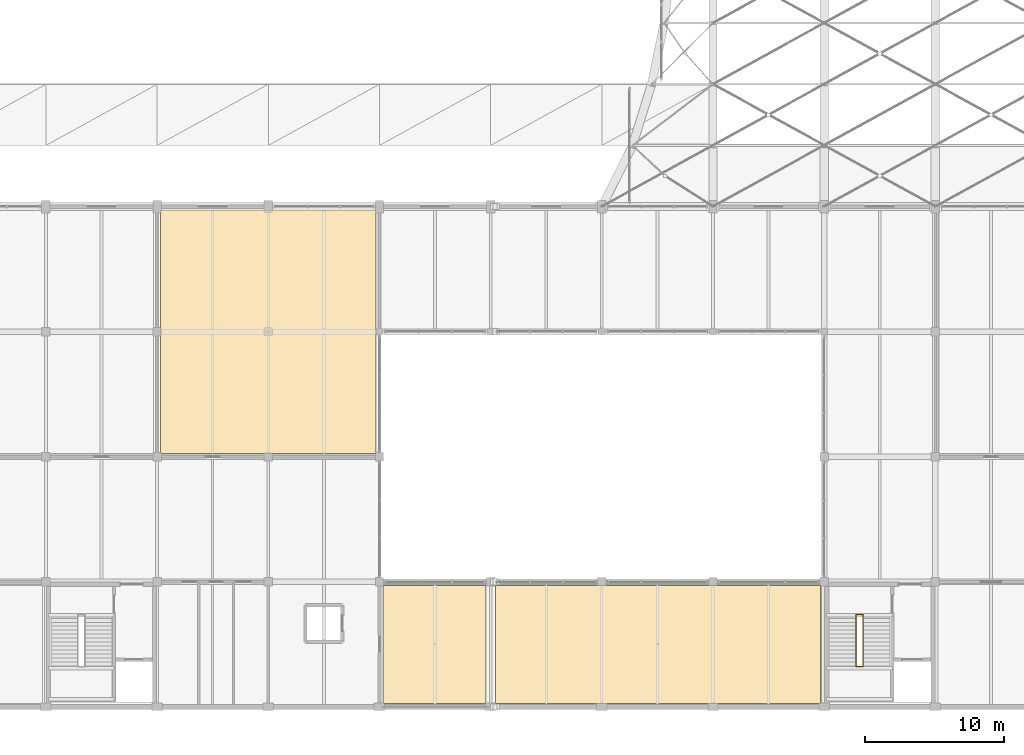
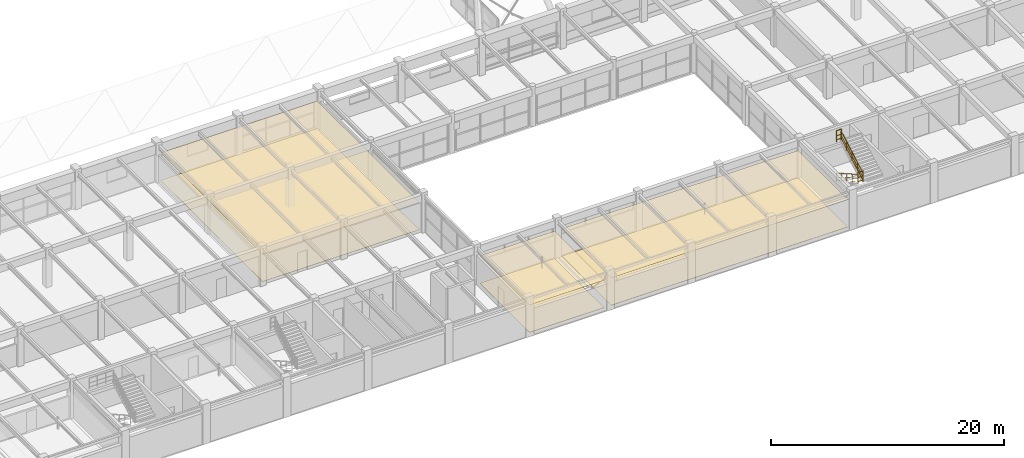
# One storey, part 123 of 126: 6 coverings, 4 railings.
"""IFC4 building model written with IfcOpenShell, lengths in metres."""

from ifc_helpers import new_model, si_unit, direction, frame, origin, origin_2d, place, context, subcontext, project, spatial, polyline, circle, outline, extrude, material, layer, layer_set, type_object, element, save


model = new_model("IFC4")

# Units and contexts
model_context = context("Model", 3, precision=1e-05, world=origin(), true_north=direction((0.0, 1.0)))
body_context = subcontext(model_context, "Body", "Model", "MODEL_VIEW")
ifc_project = project(units=[si_unit("LENGTHUNIT", "METRE"), si_unit("AREAUNIT", "SQUARE_METRE"), si_unit("VOLUMEUNIT", "CUBIC_METRE"), si_unit("PLANEANGLEUNIT", "RADIAN"), si_unit("MASSUNIT", "GRAM", prefix="KILO")], contexts=[model_context])

# Site, building, storey
site_placement = place(None, origin())
site = spatial("IfcSite", under=ifc_project, at=site_placement, CompositionType="ELEMENT")
building_placement = place(site_placement, origin())
building = spatial("IfcBuilding", under=site, at=building_placement, Name="Varnabhumi Central Station", CompositionType="ELEMENT")
storey_placement = place(building_placement, frame((0.0, 0.0, 16.199951171875)))
storey = spatial("IfcBuildingStorey", under=building, at=storey_placement, Name="L03", CompositionType="ELEMENT", Elevation=16.199951171875)

# Coverings
ifc_material_1 = material(Name="Mineral-fibre acoustic tile")
ifc_layer_1 = layer(ifc_material_1, 0.02490234375, Name="Mineral-fibre acoustic tile")
ifc_layer_set_1 = layer_set([ifc_layer_1], Name="Mineral-fibre acoustic tile")
covering_type_1 = type_object("IfcCoveringType", Name="COV-CEIL-ACOUSTIC", PredefinedType="CEILING", material=ifc_layer_set_1)
covering_1_placement = place(storey_placement, frame((0.0, 0.0, 2.8701171875)))
element("IfcCovering", 1, at=covering_1_placement, inside=storey, type_object=covering_type_1, Name="Passenger Information and Announcement Control Room Acoustic Ceiling", PredefinedType="CEILING", context=body_context, shape_type="SweptSolid", body=[
    extrude(outline(polyline([(96.25, 18.25), (111.75, 18.25), (111.75, 35.75), (96.25, 35.75), (96.25, 18.25)])), origin(), (0.0, 0.0, 1.0), 0.02490234375),
])
covering_2_placement = place(storey_placement, frame((0.0, 0.0, 2.8701171875)))
element("IfcCovering", 2, at=covering_2_placement, inside=storey, type_object=covering_type_1, Name="Timetable and Movement Records Store Acoustic Ceiling", PredefinedType="CEILING", context=body_context, shape_type="SweptSolid", body=[
    extrude(outline(polyline([(112.25, 0.25), (119.64990234375, 0.25), (119.64990234375, 8.75), (112.25, 8.75), (112.25, 0.25)])), origin(), (0.0, 0.0, 1.0), 0.02490234375),
])
covering_3_placement = place(storey_placement, frame((0.0, 0.0, 2.8701171875)))
element("IfcCovering", 3, at=covering_3_placement, inside=storey, type_object=covering_type_1, Name="Timetable and Movement Records Store Acoustic Ceiling", PredefinedType="CEILING", context=body_context, shape_type="SweptSolid", body=[
    extrude(outline(polyline([(120.35009765625, 0.25), (143.75, 0.25), (143.75, 8.75), (120.35009765625, 8.75), (120.35009765625, 0.25)])), origin(), (0.0, 0.0, 1.0), 0.02490234375),
])
ifc_material_2 = material(Name="Vitrified granite stone flooring", Category="masonry")
ifc_layer_2 = layer(ifc_material_2, 0.030029296875, Name="Vitrified granite stone flooring", Category="masonry")
ifc_layer_set_2 = layer_set([ifc_layer_2], Name="Vitrified granite stone flooring")
covering_type_2 = type_object("IfcCoveringType", Name="COV-FLOR-GRANITE", PredefinedType="FLOORING", material=ifc_layer_set_2)
covering_4_placement = place(storey_placement, origin())
element("IfcCovering", 4, at=covering_4_placement, inside=storey, type_object=covering_type_2, Name="Passenger Information and Announcement Control Room Granite Flooring", PredefinedType="FLOORING", context=body_context, shape_type="SweptSolid", body=[
    extrude(outline(polyline([(96.25, 18.25), (111.75, 18.25), (111.75, 35.75), (96.25, 35.75), (96.25, 18.25)])), origin(), (0.0, 0.0, 1.0), 0.030029296875),
])
covering_5_placement = place(storey_placement, origin())
element("IfcCovering", 5, at=covering_5_placement, inside=storey, type_object=covering_type_2, Name="Timetable and Movement Records Store Granite Flooring", PredefinedType="FLOORING", context=body_context, shape_type="SweptSolid", body=[
    extrude(outline(polyline([(112.25, 0.25), (119.64990234375, 0.25), (119.64990234375, 8.75), (112.25, 8.75), (112.25, 0.25)])), origin(), (0.0, 0.0, 1.0), 0.030029296875),
])
covering_6_placement = place(storey_placement, origin())
element("IfcCovering", 6, at=covering_6_placement, inside=storey, type_object=covering_type_2, Name="Timetable and Movement Records Store Granite Flooring", PredefinedType="FLOORING", context=body_context, shape_type="SweptSolid", body=[
    extrude(outline(polyline([(120.35009765625, 0.25), (143.75, 0.25), (143.75, 8.75), (120.35009765625, 8.75), (120.35009765625, 0.25)])), origin(), (0.0, 0.0, 1.0), 0.030029296875),
])

# Railings
ifc_material_3 = material(Name="Stainless steel Grade 316", Category="steel")
railing_type_1 = type_object("IfcRailingType", Name="RAIL-STAIR-GRD-1150", PredefinedType="GUARDRAIL", material=ifc_material_3)
for number, where, name in (
    (7, (146.300048828125, 2.89501953125, 2.10009765625), "ST-S3 L03 Half-Landing Well Guard"),
    (8, (146.300048828125, 6.639892578125, 4.199951171875), "ST-S3 L03 Arrival Slot Guard"),
):
    element("IfcRailing", number, at=place(storey_placement, frame(where)), inside=storey, type_object=railing_type_1, Name=name, PredefinedType="GUARDRAIL", context=body_context, shape_type="SweptSolid", body=[
        extrude(circle(Radius=0.02392578125, at=origin_2d()), frame((0.0, 0.0, 1.1259765625), z_axis=(1.0, 0.0, 0.0), x_axis=(0.0, 1.0, 0.0)), (0.0, 0.0, 1.0), 0.5),
        extrude(circle(Radius=0.01416015625, at=origin_2d()), frame((0.0, 0.0, 0.597900390625), z_axis=(1.0, 0.0, 0.0), x_axis=(0.0, 1.0, 0.0)), (0.0, 0.0, 1.0), 0.5),
        extrude(circle(Radius=0.01416015625, at=origin_2d()), frame((0.0, 0.0, 0.18408203125), z_axis=(1.0, 0.0, 0.0), x_axis=(0.0, 1.0, 0.0)), (0.0, 0.0, 1.0), 0.5),
        extrude(circle(Radius=0.02099609375, at=origin_2d()), origin(), (0.0, 0.0, 1.0), 1.101806640625),
        extrude(circle(Radius=0.02099609375, at=origin_2d()), frame((0.5, 0.0, 0.0)), (0.0, 0.0, 1.0), 1.101806640625),
    ])
railing_type_2 = type_object("IfcRailingType", Name="RAIL-STAIR-HR-920", PredefinedType="HANDRAIL", material=ifc_material_3)
railing_1_placement = place(storey_placement, frame((146.300048828125, 6.659912109375, 0.0)))
element("IfcRailing", 9, at=railing_1_placement, inside=storey, type_object=railing_type_2, Name="ST-S3 L03 Flight 1 Handrail", PredefinedType="HANDRAIL", context=body_context, shape_type="SweptSolid", body=[
    extrude(circle(Radius=0.02392578125, at=origin_2d()), frame((0.0, 0.0, 0.89599609375), z_axis=(0.0, -0.869952506034, 0.493135516106), x_axis=(1.0, 0.0, 0.0)), (0.0, 0.0, 1.0), 4.258544921875),
    extrude(circle(Radius=0.01416015625, at=origin_2d()), frame((0.0, 0.0, 0.478271484375), z_axis=(0.0, -0.869952506034, 0.493135516106), x_axis=(1.0, 0.0, 0.0)), (0.0, 0.0, 1.0), 4.258544921875),
    extrude(circle(Radius=0.01416015625, at=origin_2d()), frame((0.0, 0.0, 0.147216796875), z_axis=(0.0, -0.869952506034, 0.493135516106), x_axis=(1.0, 0.0, 0.0)), (0.0, 0.0, 1.0), 4.258544921875),
    extrude(circle(Radius=0.02099609375, at=origin_2d()), origin(), (0.0, 0.0, 1.0), 0.871826171875),
    extrude(circle(Radius=0.02099609375, at=origin_2d()), frame((0.0, -0.92626953125, 0.52490234375)), (0.0, 0.0, 1.0), 0.871826171875),
    extrude(circle(Radius=0.02099609375, at=origin_2d()), frame((0.0, -1.8525390625, 1.050048828125)), (0.0, 0.0, 1.0), 0.871826171875),
    extrude(circle(Radius=0.02099609375, at=origin_2d()), frame((0.0, -2.778564453125, 1.5751953125)), (0.0, 0.0, 1.0), 0.871826171875),
    extrude(circle(Radius=0.02099609375, at=origin_2d()), frame((0.0, -3.704833984375, 2.10009765625)), (0.0, 0.0, 1.0), 0.871826171875),
])
railing_2_placement = place(storey_placement, frame((146.800048828125, 2.955078125, 2.10009765625)))
element("IfcRailing", 10, at=railing_2_placement, inside=storey, type_object=railing_type_2, Name="ST-S3 L03 Flight 2 Handrail", PredefinedType="HANDRAIL", context=body_context, shape_type="SweptSolid", body=[
    extrude(circle(Radius=0.02392578125, at=origin_2d()), frame((0.0, 0.0, 0.89599609375), z_axis=(0.0, 0.869977099619, 0.493092127435), x_axis=(-1.0, 0.0, 0.0)), (0.0, 0.0, 1.0), 4.258544921875),
    extrude(circle(Radius=0.01416015625, at=origin_2d()), frame((0.0, 0.0, 0.478271484375), z_axis=(0.0, 0.869977099619, 0.493092127435), x_axis=(-1.0, 0.0, 0.0)), (0.0, 0.0, 1.0), 4.258544921875),
    extrude(circle(Radius=0.01416015625, at=origin_2d()), frame((0.0, 0.0, 0.147216796875), z_axis=(0.0, 0.869977099619, 0.493092127435), x_axis=(-1.0, 0.0, 0.0)), (0.0, 0.0, 1.0), 4.258544921875),
    extrude(circle(Radius=0.02099609375, at=origin_2d()), origin(), (0.0, 0.0, 1.0), 0.871826171875),
    extrude(circle(Radius=0.02099609375, at=origin_2d()), frame((0.0, 0.92626953125, 0.52490234375)), (0.0, 0.0, 1.0), 0.871826171875),
    extrude(circle(Radius=0.02099609375, at=origin_2d()), frame((0.0, 1.8525390625, 1.0498046875)), (0.0, 0.0, 1.0), 0.871826171875),
    extrude(circle(Radius=0.02099609375, at=origin_2d()), frame((0.0, 2.778564453125, 1.574951171875)), (0.0, 0.0, 1.0), 0.871826171875),
    extrude(circle(Radius=0.02099609375, at=origin_2d()), frame((0.0, 3.704833984375, 2.099853515625)), (0.0, 0.0, 1.0), 0.871826171875),
])

save(model, "model.ifc")
